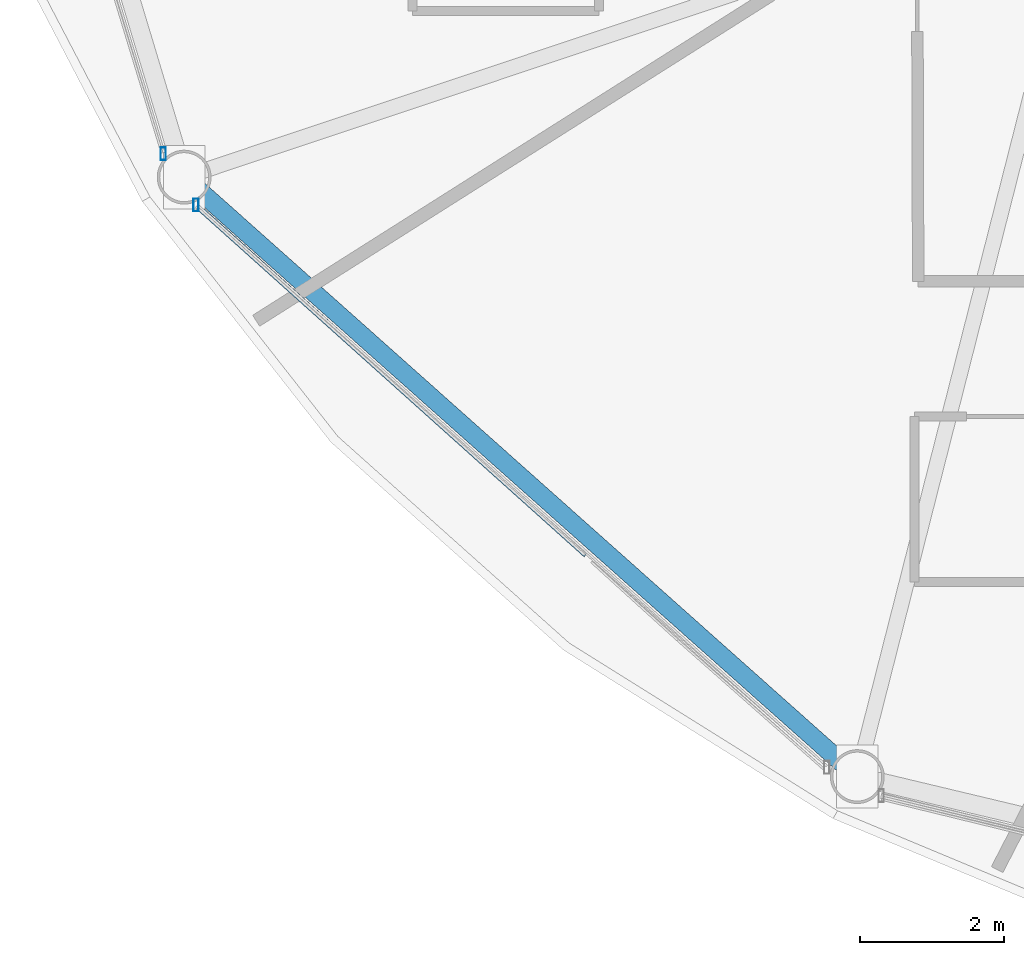
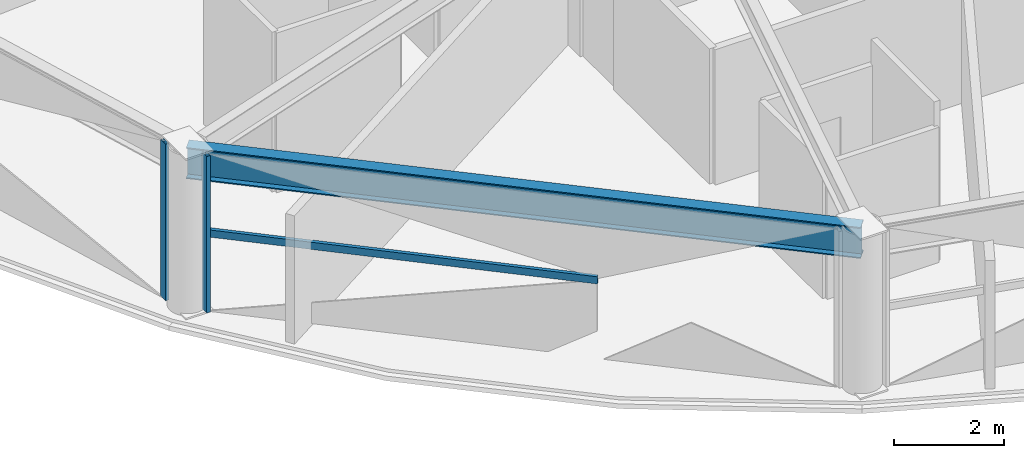
# One storey, part 3 of 32: 3 members, 1 beam, 2 elements without a shape of their own.
"""IFC4 building model written with IfcOpenShell, lengths in metres."""

from ifc_helpers import new_model, si_unit, direction, frame, origin, origin_2d, place, context, subcontext, project, spatial, hollow_rectangle, i_section, extrude, material, layer, layer_set, material_profile, profile_set, type_object, element, aggregate, save


model = new_model("IFC4")

# Units and contexts
model_context = context("Model", 3, precision=1e-05, world=origin(), true_north=direction((0.0, 1.0)))
body_context = subcontext(model_context, "Body", "Model", "MODEL_VIEW")
ifc_project = project(units=[si_unit("LENGTHUNIT", "METRE"), si_unit("AREAUNIT", "SQUARE_METRE"), si_unit("VOLUMEUNIT", "CUBIC_METRE"), si_unit("PLANEANGLEUNIT", "RADIAN"), si_unit("MASSUNIT", "GRAM", prefix="KILO")], contexts=[model_context])

# Site, building, storey
site_placement = place(None, origin())
site = spatial("IfcSite", under=ifc_project, at=site_placement, CompositionType="ELEMENT")
building_placement = place(site_placement, origin())
building = spatial("IfcBuilding", under=site, at=building_placement, Name="Vantalir Tower", CompositionType="ELEMENT")
storey_placement = place(building_placement, frame((0.0, 0.0, 100.949951171875)))
storey = spatial("IfcBuildingStorey", under=building, at=storey_placement, Name="L24", CompositionType="ELEMENT", Elevation=100.949951171875)

# Beam
ifc_material_1 = material(Name="Steel S460", Category="steel")
ifc_material_profile_1 = material_profile(ifc_material_1, i_section(OverallWidth=0.256103515625, OverallDepth=0.693115234375, WebThickness=0.014404296875, FlangeThickness=0.023681640625, at=origin_2d()), Name="Steel S460")
ifc_profile_set_1 = profile_set([ifc_material_profile_1], Name="Steel S460")
beam_type = type_object("IfcBeamType", Name="BM-RG-686x254", PredefinedType="USERDEFINED", material=ifc_profile_set_1)
beam_placement = place(storey_placement, frame((9.340087890625, 13.60595703125, 3.22314453125), z_axis=(0.746784993974, -0.665065540211, 0.0), x_axis=(0.665065540211, 0.746784993974, 0.0)))
element("IfcBeam", 1, at=beam_placement, inside=storey, type_object=beam_type, Name="L24 Circumferential Ring Girder 08", ObjectType="GIRDER", PredefinedType="USERDEFINED", context=body_context, shape_type="SweptSolid", body=[
    extrude(i_section(OverallWidth=0.256103515625, OverallDepth=0.693115234375, WebThickness=0.014404296875, FlangeThickness=0.023681640625, at=origin_2d()), origin(), (0.0, 0.0, 1.0), 12.541748046875),
])

# Curtain wall, member
ifc_material_2 = material(Name="Champagne-silver PVDF aluminium and double-silver Low-E glass", Category="aluminium")
ifc_layer = layer(ifc_material_2, 0.199951171875)
ifc_layer_set = layer_set([ifc_layer], Name="Champagne-silver PVDF aluminium and double-silver Low-E glass")
curtain_wall_type = type_object("IfcCurtainWallType", Name="CW-DIAMOND-Z2", PredefinedType="USERDEFINED", material=ifc_layer_set)
curtain_wall_1_placement = place(storey_placement, origin())
curtain_wall_1 = element("IfcCurtainWall", 2, at=curtain_wall_1_placement, inside=storey, type_object=curtain_wall_type, Name="L24 Quilted Pyramid-Diamond Curtain Wall S07", ObjectType="UNITISED CURTAIN WALL", PredefinedType="USERDEFINED")
ifc_material_3 = material(Name="Champagne-silver PVDF aluminium 6063-T6", Category="aluminium")
ifc_material_profile_2 = material_profile(ifc_material_3, hollow_rectangle(XDim=0.074951171875, YDim=0.179931640625, WallThickness=0.00390625, at=origin_2d()), Name="Champagne-silver PVDF aluminium 6063-T6")
ifc_profile_set_2 = profile_set([ifc_material_profile_2], Name="Champagne-silver PVDF aluminium 6063-T6")
member_type_1 = type_object("IfcMemberType", Name="CWM-180x75", PredefinedType="MULLION", material=ifc_profile_set_2)
member_1_placement = place(storey_placement, frame((9.049072265625, 13.931884765625, 0.045166015625), z_axis=(0.0, 0.0, 1.0), x_axis=(1.0, 0.0, 0.0)))
member_1 = element("IfcMember", 3, at=member_1_placement, type_object=member_type_1, Name="CW-L24-S07 Mullion 2", PredefinedType="MULLION", context=body_context, shape_type="SweptSolid", body=[
    extrude(hollow_rectangle(XDim=0.074951171875, YDim=0.179931640625, WallThickness=0.00390625, at=origin_2d()), origin(), (0.0, 0.0, 1.0), 3.47998046875),
])
aggregate(curtain_wall_1, [member_1])

# Curtain wall, members
curtain_wall_2_placement = place(storey_placement, origin())
curtain_wall_2 = element("IfcCurtainWall", 4, at=curtain_wall_2_placement, inside=storey, type_object=curtain_wall_type, Name="L24 Quilted Pyramid-Diamond Curtain Wall S08", ObjectType="UNITISED CURTAIN WALL", PredefinedType="USERDEFINED")
member_2_placement = place(storey_placement, frame((9.50390625, 13.218017578125, 0.045166015625), z_axis=(0.0, 0.0, 1.0), x_axis=(1.0, 0.0, 0.0)))
member_2 = element("IfcMember", 5, at=member_2_placement, type_object=member_type_1, Name="CW-L24-S08 Mullion 1", PredefinedType="MULLION", context=body_context, shape_type="SweptSolid", body=[
    extrude(hollow_rectangle(XDim=0.074951171875, YDim=0.179931640625, WallThickness=0.00390625, at=origin_2d()), origin(), (0.0, 0.0, 1.0), 3.47998046875),
])
ifc_material_profile_3 = material_profile(ifc_material_3, hollow_rectangle(XDim=0.074951171875, YDim=0.159912109375, WallThickness=0.00390625, at=origin_2d()), Name="Champagne-silver PVDF aluminium 6063-T6")
ifc_profile_set_3 = profile_set([ifc_material_profile_3], Name="Champagne-silver PVDF aluminium 6063-T6")
member_type_2 = type_object("IfcMemberType", Name="CWT-160x75", PredefinedType="USERDEFINED", material=ifc_profile_set_3)
member_3_placement = place(storey_placement, frame((9.50390625, 13.218017578125, 1.78515625), z_axis=(0.744284112495, -0.667863129606, 0.0), x_axis=(0.667863129606, 0.744284112495, 0.0)))
member_3 = element("IfcMember", 6, at=member_3_placement, type_object=member_type_2, Name="CW-L24-S08 Pyramid Fold Ridge Transom", ObjectType="TRANSOM", PredefinedType="USERDEFINED", context=body_context, shape_type="SweptSolid", body=[
    extrude(hollow_rectangle(XDim=0.074951171875, YDim=0.159912109375, WallThickness=0.00390625, at=origin_2d()), origin(), (0.0, 0.0, 1.0), 7.290283203125),
])
aggregate(curtain_wall_2, [member_2, member_3])

save(model, "model.ifc")
